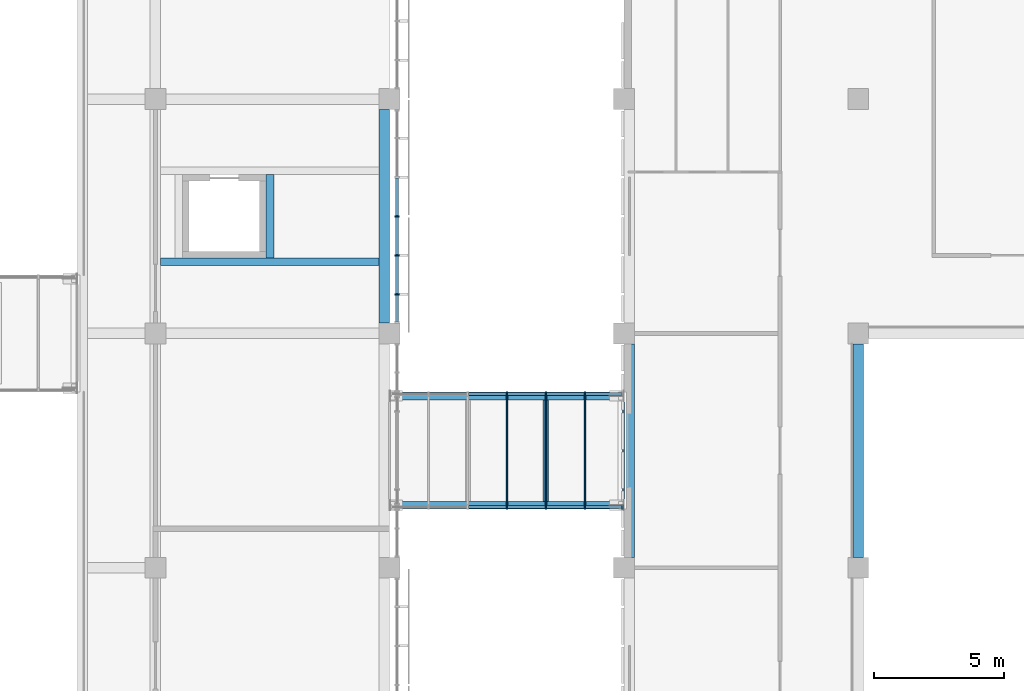
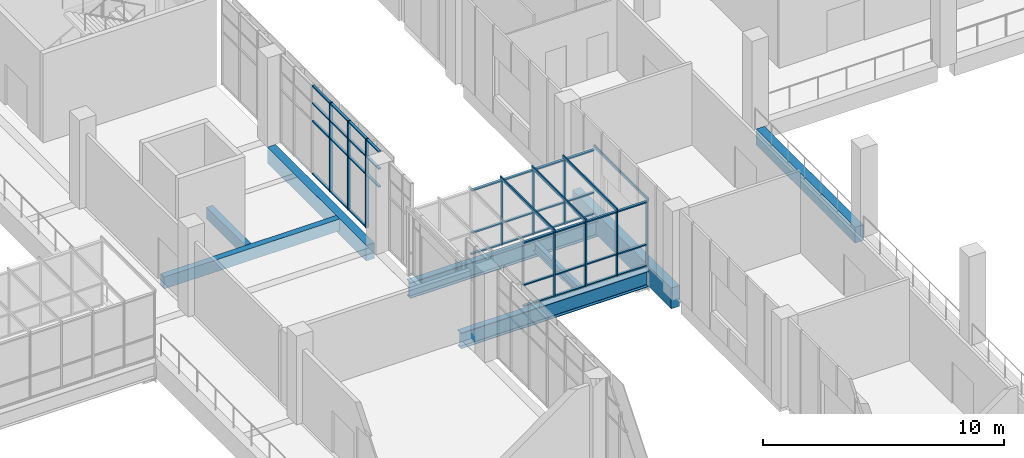
# One storey, part 25 of 88: 53 members, 8 beams, 4 elements without a shape of their own.
"""IFC4 building model written with IfcOpenShell, lengths in metres."""

import ifcopenshell
import ifcopenshell.guid

model = None  # the IFC model being written
_history = None  # IfcOwnerHistory: only IFC2X3 demands one
_inside = {}  # id of a spatial element -> (the spatial element, [elements in it])
_under = {}  # id of a project, library or spatial element -> (it, [spatial elements below it])
_declared = {}  # id of a project -> (the project, [libraries it declares])
_typed = {}  # id of a type object -> (the type object, [elements of that type])
_made_of = {}  # id of a material, layer set ... -> (it, [elements and type objects made of it])


def new_model(schema):
    """Start an empty IFC model of exactly this schema.

    Asked for "IFC4X3", IfcOpenShell would pick the latest addendum, in which some entities
    have other attributes; the version numbers below select the first issue.
    IFC2X3 requires an IfcOwnerHistory on every rooted entity: one is made here for all.
    """
    global model, _history
    if schema == "IFC4X3":
        model = ifcopenshell.file(schema_version=(4, 3, 0, 0))
    else:
        model = ifcopenshell.file(schema=schema)
    _inside.clear()
    _under.clear()
    _declared.clear()
    _typed.clear()
    _made_of.clear()
    _history = None
    if model.schema == "IFC2X3":
        org = make("IfcOrganization", Name="unknown")
        user = make(
            "IfcPersonAndOrganization",
            ThePerson=make("IfcPerson", FamilyName="unknown"),
            TheOrganization=org,
        )
        app = make(
            "IfcApplication",
            ApplicationDeveloper=org,
            Version="unknown",
            ApplicationFullName="unknown",
            ApplicationIdentifier="unknown",
        )
        _history = make(
            "IfcOwnerHistory",
            OwningUser=user,
            OwningApplication=app,
            ChangeAction="ADDED",
            CreationDate=0,
        )
    return model


def make(cls, **values):
    """One entity of the class cls with the attributes given. An attribute that is None is left unset."""
    return model.create_entity(
        cls, **{name: value for name, value in values.items() if value is not None}
    )


def rooted(cls, **values):
    """An entity with a GlobalId (a new one), such as an element, a storey or a relation."""
    return make(cls, GlobalId=ifcopenshell.guid.new(), OwnerHistory=_history, **values)


def si_unit(unit_type, name, prefix=None):
    """IfcSIUnit, for example si_unit("LENGTHUNIT", "METRE", prefix="MILLI")."""
    return make("IfcSIUnit", UnitType=unit_type, Prefix=prefix, Name=name)


def assignment(units):
    """IfcUnitAssignment: the units of a project."""
    return None if units is None else make("IfcUnitAssignment", Units=units)


def point(xyz):
    """IfcCartesianPoint."""
    return None if xyz is None else make("IfcCartesianPoint", Coordinates=xyz)


def direction(xyz):
    """IfcDirection."""
    return None if xyz is None else make("IfcDirection", DirectionRatios=xyz)


def frame(location, z_axis=None, x_axis=None):
    """IfcAxis2Placement3D, a coordinate frame: its origin and axes. An axis left out is left unset."""
    return make(
        "IfcAxis2Placement3D",
        Location=point(location),
        Axis=direction(z_axis),
        RefDirection=direction(x_axis),
    )


def frame_2d(location, x_axis=None):
    """IfcAxis2Placement2D, a coordinate frame in the plane: its origin and x axis."""
    return make(
        "IfcAxis2Placement2D", Location=point(location), RefDirection=direction(x_axis)
    )


def origin():
    """The frame at (0, 0, 0) with its axes left unset."""
    return frame((0.0, 0.0, 0.0))


def origin_2d():
    """The frame at (0, 0) in the plane with its x axis left unset."""
    return frame_2d((0.0, 0.0))


def place(relative_to, where):
    """IfcLocalPlacement: puts the frame where relative to a parent placement (None: the world)."""
    return make(
        "IfcLocalPlacement", PlacementRelTo=relative_to, RelativePlacement=where
    )


def context(
    kind, dimensions, precision=None, world=None, true_north=None, identifier=None
):
    """IfcGeometricRepresentationContext, for example the 3D "Model" context."""
    return make(
        "IfcGeometricRepresentationContext",
        ContextIdentifier=identifier,
        ContextType=kind,
        CoordinateSpaceDimension=dimensions,
        Precision=precision,
        WorldCoordinateSystem=world,
        TrueNorth=true_north,
    )


def subcontext(parent, identifier, kind, view, scale=None):
    """IfcGeometricRepresentationSubContext, for example "Body" below "Model"."""
    return make(
        "IfcGeometricRepresentationSubContext",
        ContextIdentifier=identifier,
        ContextType=kind,
        ParentContext=parent,
        TargetScale=scale,
        TargetView=view,
    )


def project(units=None, contexts=None):
    """IfcProject with its units and contexts."""
    return rooted(
        "IfcProject",
        Name="project",
        RepresentationContexts=contexts,
        UnitsInContext=assignment(units),
    )


def spatial(cls, under=None, at=None, **own):
    """A site, building, storey or space (cls), placed at a placement, below another one or the project."""
    s = rooted(cls, ObjectPlacement=at, **own)
    if under is not None:
        _under.setdefault(under.id(), (under, []))[1].append(s)
    return s


def profile(cls, at=None, kind="AREA", **sizes):
    """A parametric profile (cls). Its sizes go by their IFC names, for example OverallWidth=200.0."""
    return make(cls, ProfileType=kind, Position=at, **sizes)


def rectangle(**sizes):
    """IfcRectangleProfileDef."""
    return profile("IfcRectangleProfileDef", **sizes)


def i_section(**sizes):
    """IfcIShapeProfileDef."""
    return profile("IfcIShapeProfileDef", **sizes)


def extrude(swept, where, along, depth):
    """IfcExtrudedAreaSolid: the profile swept, set in the frame where, extruded along a direction by depth."""
    return make(
        "IfcExtrudedAreaSolid",
        SweptArea=swept,
        Position=where,
        ExtrudedDirection=direction(along),
        Depth=depth,
    )


def shape(context_of_items, identifier, shape_type, items):
    """IfcShapeRepresentation: the items that make up one representation, for example the "Body"."""
    return make(
        "IfcShapeRepresentation",
        ContextOfItems=context_of_items,
        RepresentationIdentifier=identifier,
        RepresentationType=shape_type,
        Items=items,
    )


def material(Name=None, Category=None):
    """IfcMaterial."""
    return make("IfcMaterial", Name=Name, Category=Category)


def layer(
    of_material, thickness, ventilated=None, Name=None, Category=None, Priority=None
):
    """IfcMaterialLayer: one layer of a wall or slab, of a material (None: an air gap)."""
    return make(
        "IfcMaterialLayer",
        Material=of_material,
        LayerThickness=thickness,
        IsVentilated=ventilated,
        Name=Name,
        Category=Category,
        Priority=Priority,
    )


def layer_set(layers, Name=None):
    """IfcMaterialLayerSet."""
    return make("IfcMaterialLayerSet", MaterialLayers=layers, LayerSetName=Name)


def material_profile(
    of_material, cross_section, Name=None, Category=None, Priority=None
):
    """IfcMaterialProfile: a cross section and its material."""
    return make(
        "IfcMaterialProfile",
        Name=Name,
        Material=of_material,
        Profile=cross_section,
        Priority=Priority,
        Category=Category,
    )


def profile_set(profiles, Name=None, composite=None):
    """IfcMaterialProfileSet."""
    return make(
        "IfcMaterialProfileSet",
        Name=Name,
        MaterialProfiles=profiles,
        CompositeProfile=composite,
    )


def made_of(thing, what):
    """Note that an element or type object is made of a material, layer set ...; save() writes the relation."""
    if what is not None:
        _made_of.setdefault(what.id(), (what, []))[1].append(thing)
    return thing


def type_object(cls, material=None, **own):
    """A type object (cls), such as IfcWallType, which elements share."""
    return made_of(rooted(cls, **own), material)


def element(
    cls,
    number,
    at=None,
    inside=None,
    cuts=None,
    type_object=None,
    material=None,
    context=None,
    identifier="Body",
    shape_type=None,
    held_by="IfcProductDefinitionShape",
    body=None,
    shapes=None,
    **own,
):
    """One element of the class cls, such as IfcWall. Its Tag is "e" and its number.

    at: its placement. inside: the storey or other place that contains it. cuts: it is an
    opening in that element (IfcRelVoidsElement). A single representation is given by context,
    identifier, shape_type and body (its items); several are given by shapes. held_by: the class
    of the entity that holds the representations. save() writes the other relations.
    """
    e = rooted(cls, Tag="e%d" % number, ObjectPlacement=at, **own)
    if body is not None:
        shapes = [shape(context, identifier, shape_type, body)]
    if shapes is not None:
        e.Representation = make(held_by, Representations=shapes)
    if inside is not None:
        _inside.setdefault(inside.id(), (inside, []))[1].append(e)
    if cuts is not None:
        rooted(
            "IfcRelVoidsElement", RelatingBuildingElement=cuts, RelatedOpeningElement=e
        )
    if type_object is not None:
        _typed.setdefault(type_object.id(), (type_object, []))[1].append(e)
    return made_of(e, material)


def aggregate(whole, parts):
    """IfcRelAggregates: a whole, such as a stair, and the parts it consists of."""
    return rooted("IfcRelAggregates", RelatingObject=whole, RelatedObjects=parts)


def save(model, path):
    """Write the relations noted so far, then the file.

    IfcRelAggregates (storeys below a building ...), IfcRelContainedInSpatialStructure (elements
    in a storey), IfcRelDefinesByType, IfcRelAssociatesMaterial and IfcRelDeclares: one each for
    every whole, place, type object, material and project.
    """
    for whole, parts in _under.values():
        aggregate(whole, parts)
    for where, things in _inside.values():
        rooted(
            "IfcRelContainedInSpatialStructure",
            RelatedElements=things,
            RelatingStructure=where,
        )
    for kind, things in _typed.values():
        rooted("IfcRelDefinesByType", RelatedObjects=things, RelatingType=kind)
    for what, things in _made_of.values():
        rooted("IfcRelAssociatesMaterial", RelatedObjects=things, RelatingMaterial=what)
    for by, libraries in _declared.values():
        rooted("IfcRelDeclares", RelatingContext=by, RelatedDefinitions=libraries)
    model.write(path)


model = new_model("IFC4")

# Units and contexts
model_context = context("Model", 3, precision=1e-05, world=origin(), true_north=direction((0.0, 1.0)))
body_context = subcontext(model_context, "Body", "Model", "MODEL_VIEW")
ifc_project = project(units=[si_unit("LENGTHUNIT", "METRE"), si_unit("AREAUNIT", "SQUARE_METRE"), si_unit("VOLUMEUNIT", "CUBIC_METRE"), si_unit("PLANEANGLEUNIT", "RADIAN"), si_unit("MASSUNIT", "GRAM", prefix="KILO")], contexts=[model_context])

# Site, building, storey
site_placement = place(None, origin())
site = spatial("IfcSite", under=ifc_project, at=site_placement, CompositionType="ELEMENT")
building_placement = place(site_placement, origin())
building = spatial("IfcBuilding", under=site, at=building_placement, Name="Guidao Yard Department Store", CompositionType="ELEMENT")
storey_placement = place(building_placement, frame((0.0, 0.0, 6.0)))
storey = spatial("IfcBuildingStorey", under=building, at=storey_placement, Name="L01", CompositionType="ELEMENT", Elevation=6.0)

# Beams
ifc_material_1 = material(Name="Concrete C40", Category="concrete")
ifc_material_profile_1 = material_profile(ifc_material_1, rectangle(XDim=0.39990234375, YDim=1.050048828125, at=origin_2d()), Name="Bridge landing beam 400 x 1050 C40")
ifc_profile_set_1 = profile_set([ifc_material_profile_1], Name="Concrete C40")
beam_type_1 = type_object("IfcBeamType", Name="Bridge landing beam 400 x 1050 C40", PredefinedType="BEAM", material=ifc_profile_set_1)
beam_1_placement = place(storey_placement, frame((117.199951171875, 81.39990234375, -0.52490234375), z_axis=(0.0, 1.0, 0.0), x_axis=(-1.0, 0.0, 0.0)))
element("IfcBeam", 1, at=beam_1_placement, inside=storey, type_object=beam_type_1, Name="Beam LB14", PredefinedType="BEAM", context=body_context, shape_type="SweptSolid", body=[
    extrude(rectangle(XDim=0.39990234375, YDim=1.050048828125, at=origin_2d()), origin(), (0.0, 0.0, 1.0), 8.2001953125),
])
ifc_material_2 = material(Name="Steel Q355B", Category="steel")
ifc_material_profile_2 = material_profile(ifc_material_2, i_section(OverallWidth=0.199951171875, OverallDepth=0.449951171875, WebThickness=0.009033203125, FlangeThickness=0.013916015625, FilletRadius=0.012939453125, at=origin_2d()), Name="HN 450x200x9x14")
ifc_profile_set_2 = profile_set([ifc_material_profile_2], Name="Steel Q355B")
beam_type_2 = type_object("IfcBeamType", Name="HN 450x200x9x14", PredefinedType="BEAM", material=ifc_profile_set_2)
beam_2_placement = place(storey_placement, frame((113.9951171875, 83.550048828125, -0.47509765625), z_axis=(0.0, 1.0, 0.0), x_axis=(-1.0, 0.0, 0.0)))
element("IfcBeam", 2, at=beam_2_placement, inside=storey, type_object=beam_type_2, Name="Bridge cross beam BR07-2", PredefinedType="BEAM", context=body_context, shape_type="SweptSolid", body=[
    extrude(i_section(OverallWidth=0.199951171875, OverallDepth=0.449951171875, WebThickness=0.009033203125, FlangeThickness=0.013916015625, FilletRadius=0.012939453125, at=origin_2d()), origin(), (0.0, 0.0, 1.0), 3.89990234375),
])
ifc_material_3 = material(Name="Steel Q355B", Category="steel")
ifc_material_profile_3 = material_profile(ifc_material_3, i_section(OverallWidth=0.300048828125, OverallDepth=0.800048828125, WebThickness=0.013916015625, FlangeThickness=0.02587890625, FilletRadius=0.01806640625, at=origin_2d()), Name="HN 800x300x14x26")
ifc_profile_set_3 = profile_set([ifc_material_profile_3], Name="Steel Q355B")
beam_type_3 = type_object("IfcBeamType", Name="HN 800x300x14x26", PredefinedType="BEAM", material=ifc_profile_set_3)
for number, where, z_axis, x_axis, name in (
    (3, (108.014892578125, 83.39990234375, -0.64990234375), (1.0, 0.0, 0.0), (0.0, 1.0, 0.0), "Bridge girder BR07S"),
    (4, (108.014892578125, 87.60009765625, -0.64990234375), (1.0, 0.0, 0.0), (0.0, 1.0, 0.0), "Bridge girder BR07N"),
):
    element("IfcBeam", number, at=place(storey_placement, frame(where, z_axis=z_axis, x_axis=x_axis)), inside=storey, type_object=beam_type_3, Name=name, PredefinedType="BEAM", context=body_context, shape_type="SweptSolid", body=[
        extrude(i_section(OverallWidth=0.300048828125, OverallDepth=0.800048828125, WebThickness=0.013916015625, FlangeThickness=0.02587890625, FilletRadius=0.01806640625, at=origin_2d()), origin(), (0.0, 0.0, 1.0), 8.97021484375),
    ])

# Curtain wall, members
ifc_material_4 = material(Name="Aluminium and glass", Category="aluminium")
ifc_layer_1 = layer(ifc_material_4, 0.159912109375)
ifc_layer_set_1 = layer_set([ifc_layer_1], Name="Shopfront curtain wall CW1 1500 module")
curtain_wall_type_1 = type_object("IfcCurtainWallType", Name="Shopfront curtain wall CW1 1500 module", PredefinedType="NOTDEFINED", material=ifc_layer_set_1)
curtain_wall_1_placement = place(storey_placement, origin())
curtain_wall_1 = element("IfcCurtainWall", 5, at=curtain_wall_1_placement, inside=storey, type_object=curtain_wall_type_1, Name="Arcade shop front", PredefinedType="NOTDEFINED")
ifc_material_5 = material(Name="Aluminium 6063-T5", Category="aluminium")
ifc_material_profile_4 = material_profile(ifc_material_5, rectangle(XDim=0.06005859375, YDim=0.159912109375, at=origin_2d()), Name="Mullion M1 60 x 160 aluminium pressure plate")
ifc_profile_set_4 = profile_set([ifc_material_profile_4], Name="Aluminium 6063-T5")
member_type_1 = type_object("IfcMemberType", Name="Mullion M1 60 x 160 aluminium pressure plate", PredefinedType="MULLION", material=ifc_profile_set_4)
member_1_placement = place(storey_placement, frame((108.280029296875, 91.5, 0.0), z_axis=(0.0, 0.0, 1.0), x_axis=(0.0, -1.0, 0.0)))
member_1 = element("IfcMember", 6, at=member_1_placement, type_object=member_type_1, Name="CW-AS-L01-21 mullion 2", PredefinedType="MULLION", context=body_context, shape_type="SweptSolid", body=[
    extrude(rectangle(XDim=0.06005859375, YDim=0.159912109375, at=origin_2d()), origin(), (0.0, 0.0, 1.0), 4.5),
])
member_2_placement = place(storey_placement, frame((108.280029296875, 93.0, 0.0), z_axis=(0.0, 0.0, 1.0), x_axis=(0.0, -1.0, 0.0)))
member_2 = element("IfcMember", 7, at=member_2_placement, type_object=member_type_1, Name="CW-AS-L01-21 mullion 3", PredefinedType="MULLION", context=body_context, shape_type="SweptSolid", body=[
    extrude(rectangle(XDim=0.06005859375, YDim=0.159912109375, at=origin_2d()), origin(), (0.0, 0.0, 1.0), 4.5),
])
member_3_placement = place(storey_placement, frame((108.280029296875, 94.5, 0.0), z_axis=(0.0, 0.0, 1.0), x_axis=(0.0, -1.0, 0.0)))
member_3 = element("IfcMember", 8, at=member_3_placement, type_object=member_type_1, Name="CW-AS-L01-21 mullion 4", PredefinedType="MULLION", context=body_context, shape_type="SweptSolid", body=[
    extrude(rectangle(XDim=0.06005859375, YDim=0.159912109375, at=origin_2d()), origin(), (0.0, 0.0, 1.0), 4.5),
])

ifc_material_6 = material(Name="Aluminium and glass", Category="aluminium")
ifc_layer_2 = layer(ifc_material_6, 0.159912109375)
ifc_layer_set_2 = layer_set([ifc_layer_2], Name="Bridge glazing CW5 1500 module")
curtain_wall_type_2 = type_object("IfcCurtainWallType", Name="Bridge glazing CW5 1500 module", PredefinedType="NOTDEFINED", material=ifc_layer_set_2)
curtain_wall_2_placement = place(storey_placement, origin())
curtain_wall_2 = element("IfcCurtainWall", 9, at=curtain_wall_2_placement, inside=storey, type_object=curtain_wall_type_2, Name="Bridge glazing BR07 S", PredefinedType="NOTDEFINED")
member_4_placement = place(storey_placement, frame((112.5, 83.330078125, 0.0), z_axis=(0.0, 0.0, 1.0), x_axis=(-1.0, 0.0, 0.0)))
member_4 = element("IfcMember", 10, at=member_4_placement, type_object=member_type_1, Name="CW-S-L01-07 mullion 4", PredefinedType="MULLION", context=body_context, shape_type="SweptSolid", body=[
    extrude(rectangle(XDim=0.06005859375, YDim=0.159912109375, at=origin_2d()), origin(), (0.0, 0.0, 1.0), 3.27001953125),
])
member_5_placement = place(storey_placement, frame((114.0, 83.330078125, 0.0), z_axis=(0.0, 0.0, 1.0), x_axis=(-1.0, 0.0, 0.0)))
member_5 = element("IfcMember", 11, at=member_5_placement, type_object=member_type_1, Name="CW-S-L01-07 mullion 5", PredefinedType="MULLION", context=body_context, shape_type="SweptSolid", body=[
    extrude(rectangle(XDim=0.06005859375, YDim=0.159912109375, at=origin_2d()), origin(), (0.0, 0.0, 1.0), 3.27001953125),
])
member_6_placement = place(storey_placement, frame((115.5, 83.330078125, 0.0), z_axis=(0.0, 0.0, 1.0), x_axis=(-1.0, 0.0, 0.0)))
member_6 = element("IfcMember", 12, at=member_6_placement, type_object=member_type_1, Name="CW-S-L01-07 mullion 6", PredefinedType="MULLION", context=body_context, shape_type="SweptSolid", body=[
    extrude(rectangle(XDim=0.06005859375, YDim=0.159912109375, at=origin_2d()), origin(), (0.0, 0.0, 1.0), 3.27001953125),
])
member_7_placement = place(storey_placement, frame((116.955078125, 83.330078125, 0.0), z_axis=(0.0, 0.0, 1.0), x_axis=(-1.0, 0.0, 0.0)))
member_7 = element("IfcMember", 13, at=member_7_placement, type_object=member_type_1, Name="CW-S-L01-07 mullion 7", PredefinedType="MULLION", context=body_context, shape_type="SweptSolid", body=[
    extrude(rectangle(XDim=0.06005859375, YDim=0.159912109375, at=origin_2d()), origin(), (0.0, 0.0, 1.0), 3.27001953125),
])

curtain_wall_3_placement = place(storey_placement, origin())
curtain_wall_3 = element("IfcCurtainWall", 14, at=curtain_wall_3_placement, inside=storey, type_object=curtain_wall_type_2, Name="Bridge glazing BR07 N", PredefinedType="NOTDEFINED")
member_8_placement = place(storey_placement, frame((112.5, 87.669921875, 0.0), z_axis=(0.0, 0.0, 1.0), x_axis=(1.0, 0.0, 0.0)))
member_8 = element("IfcMember", 15, at=member_8_placement, type_object=member_type_1, Name="CW-N-L01-08 mullion 4", PredefinedType="MULLION", context=body_context, shape_type="SweptSolid", body=[
    extrude(rectangle(XDim=0.06005859375, YDim=0.159912109375, at=origin_2d()), origin(), (0.0, 0.0, 1.0), 3.27001953125),
])
member_9_placement = place(storey_placement, frame((114.0, 87.669921875, 0.0), z_axis=(0.0, 0.0, 1.0), x_axis=(1.0, 0.0, 0.0)))
member_9 = element("IfcMember", 16, at=member_9_placement, type_object=member_type_1, Name="CW-N-L01-08 mullion 5", PredefinedType="MULLION", context=body_context, shape_type="SweptSolid", body=[
    extrude(rectangle(XDim=0.06005859375, YDim=0.159912109375, at=origin_2d()), origin(), (0.0, 0.0, 1.0), 3.27001953125),
])
member_10_placement = place(storey_placement, frame((115.5, 87.669921875, 0.0), z_axis=(0.0, 0.0, 1.0), x_axis=(1.0, 0.0, 0.0)))
member_10 = element("IfcMember", 17, at=member_10_placement, type_object=member_type_1, Name="CW-N-L01-08 mullion 6", PredefinedType="MULLION", context=body_context, shape_type="SweptSolid", body=[
    extrude(rectangle(XDim=0.06005859375, YDim=0.159912109375, at=origin_2d()), origin(), (0.0, 0.0, 1.0), 3.27001953125),
])

# Beams
ifc_material_7 = material(Name="Concrete C40", Category="concrete")
ifc_material_profile_5 = material_profile(ifc_material_7, rectangle(XDim=0.300048828125, YDim=0.60009765625, at=origin_2d()), Name="Opening beam 300 x 600 C40")
ifc_profile_set_5 = profile_set([ifc_material_profile_5], Name="Concrete C40")
beam_type_4 = type_object("IfcBeamType", Name="Opening beam 300 x 600 C40", PredefinedType="BEAM", material=ifc_profile_set_5)
beam_3_placement = place(storey_placement, frame((99.199951171875, 92.75, -0.300048828125), z_axis=(1.0, 0.0, 0.0), x_axis=(0.0, 1.0, 0.0)))
element("IfcBeam", 18, at=beam_3_placement, inside=storey, type_object=beam_type_4, Name="Beam OB25", PredefinedType="BEAM", context=body_context, shape_type="SweptSolid", body=[
    extrude(rectangle(XDim=0.300048828125, YDim=0.60009765625, at=origin_2d()), origin(), (0.0, 0.0, 1.0), 8.400146484375),
])
beam_4_placement = place(storey_placement, frame((103.39990234375, 92.89990234375, -0.300048828125), z_axis=(0.0, 1.0, 0.0), x_axis=(-1.0, 0.0, 0.0)))
element("IfcBeam", 19, at=beam_4_placement, inside=storey, type_object=beam_type_4, Name="Beam OB28", PredefinedType="BEAM", context=body_context, shape_type="SweptSolid", body=[
    extrude(rectangle(XDim=0.300048828125, YDim=0.60009765625, at=origin_2d()), origin(), (0.0, 0.0, 1.0), 3.2001953125),
])

# Curtain wall, members
curtain_wall_4_placement = place(storey_placement, origin())
curtain_wall_4 = element("IfcCurtainWall", 20, at=curtain_wall_4_placement, inside=storey, type_object=curtain_wall_type_2, Name="Bridge roof glazing BR07", PredefinedType="NOTDEFINED")
ifc_material_8 = material(Name="Aluminium 6063-T5", Category="aluminium")
ifc_material_profile_6 = material_profile(ifc_material_8, rectangle(XDim=0.06005859375, YDim=0.159912109375, at=origin_2d()), Name="Roof bar RB1 60 x 160 aluminium")
ifc_profile_set_6 = profile_set([ifc_material_profile_6], Name="Aluminium 6063-T5")
member_type_2 = type_object("IfcMemberType", Name="Roof bar RB1 60 x 160 aluminium", PredefinedType="USERDEFINED", material=ifc_profile_set_6)
member_11_placement = place(storey_placement, frame((112.5, 83.25, 3.35009765625), z_axis=(0.0, 1.0, 0.0), x_axis=(-1.0, 0.0, 0.0)))
member_11 = element("IfcMember", 21, at=member_11_placement, type_object=member_type_2, Name="Bridge roof bar BR07", ObjectType="TRANSOM", PredefinedType="USERDEFINED", context=body_context, shape_type="SweptSolid", body=[
    extrude(rectangle(XDim=0.06005859375, YDim=0.159912109375, at=origin_2d()), origin(), (0.0, 0.0, 1.0), 4.5),
])
member_12_placement = place(storey_placement, frame((114.0, 83.25, 3.35009765625), z_axis=(0.0, 1.0, 0.0), x_axis=(-1.0, 0.0, 0.0)))
member_12 = element("IfcMember", 22, at=member_12_placement, type_object=member_type_2, Name="Bridge roof bar BR07", ObjectType="TRANSOM", PredefinedType="USERDEFINED", context=body_context, shape_type="SweptSolid", body=[
    extrude(rectangle(XDim=0.06005859375, YDim=0.159912109375, at=origin_2d()), origin(), (0.0, 0.0, 1.0), 4.5),
])
member_13_placement = place(storey_placement, frame((115.5, 83.25, 3.35009765625), z_axis=(0.0, 1.0, 0.0), x_axis=(-1.0, 0.0, 0.0)))
member_13 = element("IfcMember", 23, at=member_13_placement, type_object=member_type_2, Name="Bridge roof bar BR07", ObjectType="TRANSOM", PredefinedType="USERDEFINED", context=body_context, shape_type="SweptSolid", body=[
    extrude(rectangle(XDim=0.06005859375, YDim=0.159912109375, at=origin_2d()), origin(), (0.0, 0.0, 1.0), 4.5),
])
member_14_placement = place(storey_placement, frame((116.985107421875, 83.25, 3.35009765625), z_axis=(0.0, 1.0, 0.0), x_axis=(-1.0, 0.0, 0.0)))
member_14 = element("IfcMember", 24, at=member_14_placement, type_object=member_type_2, Name="Bridge roof bar BR07", ObjectType="TRANSOM", PredefinedType="USERDEFINED", context=body_context, shape_type="SweptSolid", body=[
    extrude(rectangle(XDim=0.06005859375, YDim=0.159912109375, at=origin_2d()), origin(), (0.0, 0.0, 1.0), 4.5),
])
aggregate(curtain_wall_4, [member_11, member_12, member_13, member_14])

# Beams
ifc_material_9 = material(Name="Concrete C40", Category="concrete")
ifc_material_profile_7 = material_profile(ifc_material_9, rectangle(XDim=0.39990234375, YDim=0.800048828125, at=origin_2d()), Name="Spandrel beam 400 x 800 C40")
ifc_profile_set_7 = profile_set([ifc_material_profile_7], Name="Concrete C40")
beam_type_5 = type_object("IfcBeamType", Name="Spandrel beam 400 x 800 C40", PredefinedType="SPANDREL", material=ifc_profile_set_7)
for number, where, z_axis, x_axis, name in (
    (25, (107.800048828125, 90.39990234375, -0.39990234375), (0.0, 1.0, 0.0), (-1.0, 0.0, 0.0), "Beam EB47"),
    (26, (126.0, 81.39990234375, -0.39990234375), (0.0, 1.0, 0.0), (-1.0, 0.0, 0.0), "Beam EB70"),
):
    element("IfcBeam", number, at=place(storey_placement, frame(where, z_axis=z_axis, x_axis=x_axis)), inside=storey, type_object=beam_type_5, Name=name, PredefinedType="SPANDREL", context=body_context, shape_type="SweptSolid", body=[
        extrude(rectangle(XDim=0.39990234375, YDim=0.800048828125, at=origin_2d()), origin(), (0.0, 0.0, 1.0), 8.2001953125),
    ])

# Member
ifc_material_10 = material(Name="Aluminium 6063-T5", Category="aluminium")
ifc_material_profile_8 = material_profile(ifc_material_10, rectangle(XDim=0.1201171875, YDim=0.06005859375, at=origin_2d()), Name="Transom T1 60 x 120 aluminium pressure plate")
ifc_profile_set_8 = profile_set([ifc_material_profile_8], Name="Aluminium 6063-T5")
member_type_3 = type_object("IfcMemberType", Name="Transom T1 60 x 120 aluminium pressure plate", PredefinedType="USERDEFINED", material=ifc_profile_set_8)
member_15_placement = place(storey_placement, frame((108.280029296875, 91.469970703125, 2.699951171875), z_axis=(0.0, -1.0, 0.0), x_axis=(1.0, 0.0, 0.0)))
member_15 = element("IfcMember", 27, at=member_15_placement, type_object=member_type_3, Name="CW-AS-L01-21 transom 1.2", ObjectType="TRANSOM", PredefinedType="USERDEFINED", context=body_context, shape_type="SweptSolid", body=[
    extrude(rectangle(XDim=0.1201171875, YDim=0.06005859375, at=origin_2d()), origin(), (0.0, 0.0, 1.0), 1.010009765625),
])

member_16_placement = place(storey_placement, frame((108.280029296875, 91.469970703125, 3.60009765625), z_axis=(0.0, -1.0, 0.0), x_axis=(1.0, 0.0, 0.0)))
member_16 = element("IfcMember", 28, at=member_16_placement, type_object=member_type_3, Name="CW-AS-L01-21 transom 1.3", ObjectType="TRANSOM", PredefinedType="USERDEFINED", context=body_context, shape_type="SweptSolid", body=[
    extrude(rectangle(XDim=0.1201171875, YDim=0.06005859375, at=origin_2d()), origin(), (0.0, 0.0, 1.0), 1.010009765625),
])

member_17_placement = place(storey_placement, frame((108.280029296875, 91.469970703125, 4.469970703125), z_axis=(0.0, -1.0, 0.0), x_axis=(1.0, 0.0, 0.0)))
member_17 = element("IfcMember", 29, at=member_17_placement, type_object=member_type_3, Name="CW-AS-L01-21 transom 1.4", ObjectType="TRANSOM", PredefinedType="USERDEFINED", context=body_context, shape_type="SweptSolid", body=[
    extrude(rectangle(XDim=0.1201171875, YDim=0.06005859375, at=origin_2d()), origin(), (0.0, 0.0, 1.0), 1.010009765625),
])

member_18_placement = place(storey_placement, frame((108.280029296875, 92.969970703125, 0.030029296875), z_axis=(0.0, -1.0, 0.0), x_axis=(1.0, 0.0, 0.0)))
member_18 = element("IfcMember", 30, at=member_18_placement, type_object=member_type_3, Name="CW-AS-L01-21 transom 2.1", ObjectType="TRANSOM", PredefinedType="USERDEFINED", context=body_context, shape_type="SweptSolid", body=[
    extrude(rectangle(XDim=0.1201171875, YDim=0.06005859375, at=origin_2d()), origin(), (0.0, 0.0, 1.0), 1.43994140625),
])

member_19_placement = place(storey_placement, frame((108.280029296875, 92.969970703125, 2.699951171875), z_axis=(0.0, -1.0, 0.0), x_axis=(1.0, 0.0, 0.0)))
member_19 = element("IfcMember", 31, at=member_19_placement, type_object=member_type_3, Name="CW-AS-L01-21 transom 2.2", ObjectType="TRANSOM", PredefinedType="USERDEFINED", context=body_context, shape_type="SweptSolid", body=[
    extrude(rectangle(XDim=0.1201171875, YDim=0.06005859375, at=origin_2d()), origin(), (0.0, 0.0, 1.0), 1.43994140625),
])

member_20_placement = place(storey_placement, frame((108.280029296875, 92.969970703125, 3.60009765625), z_axis=(0.0, -1.0, 0.0), x_axis=(1.0, 0.0, 0.0)))
member_20 = element("IfcMember", 32, at=member_20_placement, type_object=member_type_3, Name="CW-AS-L01-21 transom 2.3", ObjectType="TRANSOM", PredefinedType="USERDEFINED", context=body_context, shape_type="SweptSolid", body=[
    extrude(rectangle(XDim=0.1201171875, YDim=0.06005859375, at=origin_2d()), origin(), (0.0, 0.0, 1.0), 1.43994140625),
])

member_21_placement = place(storey_placement, frame((108.280029296875, 92.969970703125, 4.469970703125), z_axis=(0.0, -1.0, 0.0), x_axis=(1.0, 0.0, 0.0)))
member_21 = element("IfcMember", 33, at=member_21_placement, type_object=member_type_3, Name="CW-AS-L01-21 transom 2.4", ObjectType="TRANSOM", PredefinedType="USERDEFINED", context=body_context, shape_type="SweptSolid", body=[
    extrude(rectangle(XDim=0.1201171875, YDim=0.06005859375, at=origin_2d()), origin(), (0.0, 0.0, 1.0), 1.43994140625),
])

member_22_placement = place(storey_placement, frame((108.280029296875, 94.469970703125, 0.030029296875), z_axis=(0.0, -1.0, 0.0), x_axis=(1.0, 0.0, 0.0)))
member_22 = element("IfcMember", 34, at=member_22_placement, type_object=member_type_3, Name="CW-AS-L01-21 transom 3.1", ObjectType="TRANSOM", PredefinedType="USERDEFINED", context=body_context, shape_type="SweptSolid", body=[
    extrude(rectangle(XDim=0.1201171875, YDim=0.06005859375, at=origin_2d()), origin(), (0.0, 0.0, 1.0), 1.43994140625),
])

member_23_placement = place(storey_placement, frame((108.280029296875, 94.469970703125, 2.699951171875), z_axis=(0.0, -1.0, 0.0), x_axis=(1.0, 0.0, 0.0)))
member_23 = element("IfcMember", 35, at=member_23_placement, type_object=member_type_3, Name="CW-AS-L01-21 transom 3.2", ObjectType="TRANSOM", PredefinedType="USERDEFINED", context=body_context, shape_type="SweptSolid", body=[
    extrude(rectangle(XDim=0.1201171875, YDim=0.06005859375, at=origin_2d()), origin(), (0.0, 0.0, 1.0), 1.43994140625),
])

member_24_placement = place(storey_placement, frame((108.280029296875, 94.469970703125, 3.60009765625), z_axis=(0.0, -1.0, 0.0), x_axis=(1.0, 0.0, 0.0)))
member_24 = element("IfcMember", 36, at=member_24_placement, type_object=member_type_3, Name="CW-AS-L01-21 transom 3.3", ObjectType="TRANSOM", PredefinedType="USERDEFINED", context=body_context, shape_type="SweptSolid", body=[
    extrude(rectangle(XDim=0.1201171875, YDim=0.06005859375, at=origin_2d()), origin(), (0.0, 0.0, 1.0), 1.43994140625),
])

member_25_placement = place(storey_placement, frame((108.280029296875, 94.469970703125, 4.469970703125), z_axis=(0.0, -1.0, 0.0), x_axis=(1.0, 0.0, 0.0)))
member_25 = element("IfcMember", 37, at=member_25_placement, type_object=member_type_3, Name="CW-AS-L01-21 transom 3.4", ObjectType="TRANSOM", PredefinedType="USERDEFINED", context=body_context, shape_type="SweptSolid", body=[
    extrude(rectangle(XDim=0.1201171875, YDim=0.06005859375, at=origin_2d()), origin(), (0.0, 0.0, 1.0), 1.43994140625),
])

member_26_placement = place(storey_placement, frame((108.280029296875, 95.969970703125, 0.030029296875), z_axis=(0.0, -1.0, 0.0), x_axis=(1.0, 0.0, 0.0)))
member_26 = element("IfcMember", 38, at=member_26_placement, type_object=member_type_3, Name="CW-AS-L01-21 transom 4.1", ObjectType="TRANSOM", PredefinedType="USERDEFINED", context=body_context, shape_type="SweptSolid", body=[
    extrude(rectangle(XDim=0.1201171875, YDim=0.06005859375, at=origin_2d()), origin(), (0.0, 0.0, 1.0), 1.43994140625),
])

member_27_placement = place(storey_placement, frame((108.280029296875, 95.969970703125, 2.699951171875), z_axis=(0.0, -1.0, 0.0), x_axis=(1.0, 0.0, 0.0)))
member_27 = element("IfcMember", 39, at=member_27_placement, type_object=member_type_3, Name="CW-AS-L01-21 transom 4.2", ObjectType="TRANSOM", PredefinedType="USERDEFINED", context=body_context, shape_type="SweptSolid", body=[
    extrude(rectangle(XDim=0.1201171875, YDim=0.06005859375, at=origin_2d()), origin(), (0.0, 0.0, 1.0), 1.43994140625),
])

member_28_placement = place(storey_placement, frame((108.280029296875, 95.969970703125, 3.60009765625), z_axis=(0.0, -1.0, 0.0), x_axis=(1.0, 0.0, 0.0)))
member_28 = element("IfcMember", 40, at=member_28_placement, type_object=member_type_3, Name="CW-AS-L01-21 transom 4.3", ObjectType="TRANSOM", PredefinedType="USERDEFINED", context=body_context, shape_type="SweptSolid", body=[
    extrude(rectangle(XDim=0.1201171875, YDim=0.06005859375, at=origin_2d()), origin(), (0.0, 0.0, 1.0), 1.43994140625),
])

member_29_placement = place(storey_placement, frame((108.280029296875, 95.969970703125, 4.469970703125), z_axis=(0.0, -1.0, 0.0), x_axis=(1.0, 0.0, 0.0)))
member_29 = element("IfcMember", 41, at=member_29_placement, type_object=member_type_3, Name="CW-AS-L01-21 transom 4.4", ObjectType="TRANSOM", PredefinedType="USERDEFINED", context=body_context, shape_type="SweptSolid", body=[
    extrude(rectangle(XDim=0.1201171875, YDim=0.06005859375, at=origin_2d()), origin(), (0.0, 0.0, 1.0), 1.43994140625),
])

aggregate(curtain_wall_1, [member_1, member_2, member_3, member_15, member_16, member_17, member_18, member_19, member_20, member_21, member_22, member_23, member_24, member_25, member_26, member_27, member_28, member_29])

member_30_placement = place(storey_placement, frame((112.469970703125, 83.330078125, 0.030029296875), z_axis=(-1.0, 0.0, 0.0), x_axis=(0.0, -1.0, 0.0)))
member_30 = element("IfcMember", 42, at=member_30_placement, type_object=member_type_3, Name="CW-S-L01-07 transom 3.1", ObjectType="TRANSOM", PredefinedType="USERDEFINED", context=body_context, shape_type="SweptSolid", body=[
    extrude(rectangle(XDim=0.1201171875, YDim=0.06005859375, at=origin_2d()), origin(), (0.0, 0.0, 1.0), 1.43994140625),
])

member_31_placement = place(storey_placement, frame((112.469970703125, 83.330078125, 1.10009765625), z_axis=(-1.0, 0.0, 0.0), x_axis=(0.0, -1.0, 0.0)))
member_31 = element("IfcMember", 43, at=member_31_placement, type_object=member_type_3, Name="CW-S-L01-07 transom 3.2", ObjectType="TRANSOM", PredefinedType="USERDEFINED", context=body_context, shape_type="SweptSolid", body=[
    extrude(rectangle(XDim=0.1201171875, YDim=0.06005859375, at=origin_2d()), origin(), (0.0, 0.0, 1.0), 1.43994140625),
])

member_32_placement = place(storey_placement, frame((112.469970703125, 83.330078125, 3.239990234375), z_axis=(-1.0, 0.0, 0.0), x_axis=(0.0, -1.0, 0.0)))
member_32 = element("IfcMember", 44, at=member_32_placement, type_object=member_type_3, Name="CW-S-L01-07 transom 3.3", ObjectType="TRANSOM", PredefinedType="USERDEFINED", context=body_context, shape_type="SweptSolid", body=[
    extrude(rectangle(XDim=0.1201171875, YDim=0.06005859375, at=origin_2d()), origin(), (0.0, 0.0, 1.0), 1.43994140625),
])

member_33_placement = place(storey_placement, frame((113.969970703125, 83.330078125, 0.030029296875), z_axis=(-1.0, 0.0, 0.0), x_axis=(0.0, -1.0, 0.0)))
member_33 = element("IfcMember", 45, at=member_33_placement, type_object=member_type_3, Name="CW-S-L01-07 transom 4.1", ObjectType="TRANSOM", PredefinedType="USERDEFINED", context=body_context, shape_type="SweptSolid", body=[
    extrude(rectangle(XDim=0.1201171875, YDim=0.06005859375, at=origin_2d()), origin(), (0.0, 0.0, 1.0), 1.43994140625),
])

member_34_placement = place(storey_placement, frame((113.969970703125, 83.330078125, 1.10009765625), z_axis=(-1.0, 0.0, 0.0), x_axis=(0.0, -1.0, 0.0)))
member_34 = element("IfcMember", 46, at=member_34_placement, type_object=member_type_3, Name="CW-S-L01-07 transom 4.2", ObjectType="TRANSOM", PredefinedType="USERDEFINED", context=body_context, shape_type="SweptSolid", body=[
    extrude(rectangle(XDim=0.1201171875, YDim=0.06005859375, at=origin_2d()), origin(), (0.0, 0.0, 1.0), 1.43994140625),
])

member_35_placement = place(storey_placement, frame((113.969970703125, 83.330078125, 3.239990234375), z_axis=(-1.0, 0.0, 0.0), x_axis=(0.0, -1.0, 0.0)))
member_35 = element("IfcMember", 47, at=member_35_placement, type_object=member_type_3, Name="CW-S-L01-07 transom 4.3", ObjectType="TRANSOM", PredefinedType="USERDEFINED", context=body_context, shape_type="SweptSolid", body=[
    extrude(rectangle(XDim=0.1201171875, YDim=0.06005859375, at=origin_2d()), origin(), (0.0, 0.0, 1.0), 1.43994140625),
])

member_36_placement = place(storey_placement, frame((115.469970703125, 83.330078125, 0.030029296875), z_axis=(-1.0, 0.0, 0.0), x_axis=(0.0, -1.0, 0.0)))
member_36 = element("IfcMember", 48, at=member_36_placement, type_object=member_type_3, Name="CW-S-L01-07 transom 5.1", ObjectType="TRANSOM", PredefinedType="USERDEFINED", context=body_context, shape_type="SweptSolid", body=[
    extrude(rectangle(XDim=0.1201171875, YDim=0.06005859375, at=origin_2d()), origin(), (0.0, 0.0, 1.0), 1.43994140625),
])

member_37_placement = place(storey_placement, frame((115.469970703125, 83.330078125, 1.10009765625), z_axis=(-1.0, 0.0, 0.0), x_axis=(0.0, -1.0, 0.0)))
member_37 = element("IfcMember", 49, at=member_37_placement, type_object=member_type_3, Name="CW-S-L01-07 transom 5.2", ObjectType="TRANSOM", PredefinedType="USERDEFINED", context=body_context, shape_type="SweptSolid", body=[
    extrude(rectangle(XDim=0.1201171875, YDim=0.06005859375, at=origin_2d()), origin(), (0.0, 0.0, 1.0), 1.43994140625),
])

member_38_placement = place(storey_placement, frame((115.469970703125, 83.330078125, 3.239990234375), z_axis=(-1.0, 0.0, 0.0), x_axis=(0.0, -1.0, 0.0)))
member_38 = element("IfcMember", 50, at=member_38_placement, type_object=member_type_3, Name="CW-S-L01-07 transom 5.3", ObjectType="TRANSOM", PredefinedType="USERDEFINED", context=body_context, shape_type="SweptSolid", body=[
    extrude(rectangle(XDim=0.1201171875, YDim=0.06005859375, at=origin_2d()), origin(), (0.0, 0.0, 1.0), 1.43994140625),
])

member_39_placement = place(storey_placement, frame((116.925048828125, 83.330078125, 0.030029296875), z_axis=(-1.0, 0.0, 0.0), x_axis=(0.0, -1.0, 0.0)))
member_39 = element("IfcMember", 51, at=member_39_placement, type_object=member_type_3, Name="CW-S-L01-07 transom 6.1", ObjectType="TRANSOM", PredefinedType="USERDEFINED", context=body_context, shape_type="SweptSolid", body=[
    extrude(rectangle(XDim=0.1201171875, YDim=0.06005859375, at=origin_2d()), origin(), (0.0, 0.0, 1.0), 1.39501953125),
])

member_40_placement = place(storey_placement, frame((116.925048828125, 83.330078125, 1.10009765625), z_axis=(-1.0, 0.0, 0.0), x_axis=(0.0, -1.0, 0.0)))
member_40 = element("IfcMember", 52, at=member_40_placement, type_object=member_type_3, Name="CW-S-L01-07 transom 6.2", ObjectType="TRANSOM", PredefinedType="USERDEFINED", context=body_context, shape_type="SweptSolid", body=[
    extrude(rectangle(XDim=0.1201171875, YDim=0.06005859375, at=origin_2d()), origin(), (0.0, 0.0, 1.0), 1.39501953125),
])

member_41_placement = place(storey_placement, frame((116.925048828125, 83.330078125, 3.239990234375), z_axis=(-1.0, 0.0, 0.0), x_axis=(0.0, -1.0, 0.0)))
member_41 = element("IfcMember", 53, at=member_41_placement, type_object=member_type_3, Name="CW-S-L01-07 transom 6.3", ObjectType="TRANSOM", PredefinedType="USERDEFINED", context=body_context, shape_type="SweptSolid", body=[
    extrude(rectangle(XDim=0.1201171875, YDim=0.06005859375, at=origin_2d()), origin(), (0.0, 0.0, 1.0), 1.39501953125),
])

aggregate(curtain_wall_2, [member_4, member_5, member_6, member_7, member_30, member_31, member_32, member_33, member_34, member_35, member_36, member_37, member_38, member_39, member_40, member_41])

member_42_placement = place(storey_placement, frame((111.030029296875, 87.669921875, 0.030029296875), z_axis=(1.0, 0.0, 0.0), x_axis=(0.0, 1.0, 0.0)))
member_42 = element("IfcMember", 54, at=member_42_placement, type_object=member_type_3, Name="CW-N-L01-08 transom 3.1", ObjectType="TRANSOM", PredefinedType="USERDEFINED", context=body_context, shape_type="SweptSolid", body=[
    extrude(rectangle(XDim=0.1201171875, YDim=0.06005859375, at=origin_2d()), origin(), (0.0, 0.0, 1.0), 1.43994140625),
])

member_43_placement = place(storey_placement, frame((111.030029296875, 87.669921875, 1.10009765625), z_axis=(1.0, 0.0, 0.0), x_axis=(0.0, 1.0, 0.0)))
member_43 = element("IfcMember", 55, at=member_43_placement, type_object=member_type_3, Name="CW-N-L01-08 transom 3.2", ObjectType="TRANSOM", PredefinedType="USERDEFINED", context=body_context, shape_type="SweptSolid", body=[
    extrude(rectangle(XDim=0.1201171875, YDim=0.06005859375, at=origin_2d()), origin(), (0.0, 0.0, 1.0), 1.43994140625),
])

member_44_placement = place(storey_placement, frame((111.030029296875, 87.669921875, 3.239990234375), z_axis=(1.0, 0.0, 0.0), x_axis=(0.0, 1.0, 0.0)))
member_44 = element("IfcMember", 56, at=member_44_placement, type_object=member_type_3, Name="CW-N-L01-08 transom 3.3", ObjectType="TRANSOM", PredefinedType="USERDEFINED", context=body_context, shape_type="SweptSolid", body=[
    extrude(rectangle(XDim=0.1201171875, YDim=0.06005859375, at=origin_2d()), origin(), (0.0, 0.0, 1.0), 1.43994140625),
])

member_45_placement = place(storey_placement, frame((112.530029296875, 87.669921875, 0.030029296875), z_axis=(1.0, 0.0, 0.0), x_axis=(0.0, 1.0, 0.0)))
member_45 = element("IfcMember", 57, at=member_45_placement, type_object=member_type_3, Name="CW-N-L01-08 transom 4.1", ObjectType="TRANSOM", PredefinedType="USERDEFINED", context=body_context, shape_type="SweptSolid", body=[
    extrude(rectangle(XDim=0.1201171875, YDim=0.06005859375, at=origin_2d()), origin(), (0.0, 0.0, 1.0), 1.43994140625),
])

member_46_placement = place(storey_placement, frame((112.530029296875, 87.669921875, 1.10009765625), z_axis=(1.0, 0.0, 0.0), x_axis=(0.0, 1.0, 0.0)))
member_46 = element("IfcMember", 58, at=member_46_placement, type_object=member_type_3, Name="CW-N-L01-08 transom 4.2", ObjectType="TRANSOM", PredefinedType="USERDEFINED", context=body_context, shape_type="SweptSolid", body=[
    extrude(rectangle(XDim=0.1201171875, YDim=0.06005859375, at=origin_2d()), origin(), (0.0, 0.0, 1.0), 1.43994140625),
])

member_47_placement = place(storey_placement, frame((112.530029296875, 87.669921875, 3.239990234375), z_axis=(1.0, 0.0, 0.0), x_axis=(0.0, 1.0, 0.0)))
member_47 = element("IfcMember", 59, at=member_47_placement, type_object=member_type_3, Name="CW-N-L01-08 transom 4.3", ObjectType="TRANSOM", PredefinedType="USERDEFINED", context=body_context, shape_type="SweptSolid", body=[
    extrude(rectangle(XDim=0.1201171875, YDim=0.06005859375, at=origin_2d()), origin(), (0.0, 0.0, 1.0), 1.43994140625),
])

member_48_placement = place(storey_placement, frame((114.030029296875, 87.669921875, 0.030029296875), z_axis=(1.0, 0.0, 0.0), x_axis=(0.0, 1.0, 0.0)))
member_48 = element("IfcMember", 60, at=member_48_placement, type_object=member_type_3, Name="CW-N-L01-08 transom 5.1", ObjectType="TRANSOM", PredefinedType="USERDEFINED", context=body_context, shape_type="SweptSolid", body=[
    extrude(rectangle(XDim=0.1201171875, YDim=0.06005859375, at=origin_2d()), origin(), (0.0, 0.0, 1.0), 1.43994140625),
])

member_49_placement = place(storey_placement, frame((114.030029296875, 87.669921875, 1.10009765625), z_axis=(1.0, 0.0, 0.0), x_axis=(0.0, 1.0, 0.0)))
member_49 = element("IfcMember", 61, at=member_49_placement, type_object=member_type_3, Name="CW-N-L01-08 transom 5.2", ObjectType="TRANSOM", PredefinedType="USERDEFINED", context=body_context, shape_type="SweptSolid", body=[
    extrude(rectangle(XDim=0.1201171875, YDim=0.06005859375, at=origin_2d()), origin(), (0.0, 0.0, 1.0), 1.43994140625),
])

member_50_placement = place(storey_placement, frame((114.030029296875, 87.669921875, 3.239990234375), z_axis=(1.0, 0.0, 0.0), x_axis=(0.0, 1.0, 0.0)))
member_50 = element("IfcMember", 62, at=member_50_placement, type_object=member_type_3, Name="CW-N-L01-08 transom 5.3", ObjectType="TRANSOM", PredefinedType="USERDEFINED", context=body_context, shape_type="SweptSolid", body=[
    extrude(rectangle(XDim=0.1201171875, YDim=0.06005859375, at=origin_2d()), origin(), (0.0, 0.0, 1.0), 1.43994140625),
])

member_51_placement = place(storey_placement, frame((115.530029296875, 87.669921875, 0.030029296875), z_axis=(1.0, 0.0, 0.0), x_axis=(0.0, 1.0, 0.0)))
member_51 = element("IfcMember", 63, at=member_51_placement, type_object=member_type_3, Name="CW-N-L01-08 transom 6.1", ObjectType="TRANSOM", PredefinedType="USERDEFINED", context=body_context, shape_type="SweptSolid", body=[
    extrude(rectangle(XDim=0.1201171875, YDim=0.06005859375, at=origin_2d()), origin(), (0.0, 0.0, 1.0), 1.39501953125),
])

member_52_placement = place(storey_placement, frame((115.530029296875, 87.669921875, 1.10009765625), z_axis=(1.0, 0.0, 0.0), x_axis=(0.0, 1.0, 0.0)))
member_52 = element("IfcMember", 64, at=member_52_placement, type_object=member_type_3, Name="CW-N-L01-08 transom 6.2", ObjectType="TRANSOM", PredefinedType="USERDEFINED", context=body_context, shape_type="SweptSolid", body=[
    extrude(rectangle(XDim=0.1201171875, YDim=0.06005859375, at=origin_2d()), origin(), (0.0, 0.0, 1.0), 1.39501953125),
])

member_53_placement = place(storey_placement, frame((115.530029296875, 87.669921875, 3.239990234375), z_axis=(1.0, 0.0, 0.0), x_axis=(0.0, 1.0, 0.0)))
member_53 = element("IfcMember", 65, at=member_53_placement, type_object=member_type_3, Name="CW-N-L01-08 transom 6.3", ObjectType="TRANSOM", PredefinedType="USERDEFINED", context=body_context, shape_type="SweptSolid", body=[
    extrude(rectangle(XDim=0.1201171875, YDim=0.06005859375, at=origin_2d()), origin(), (0.0, 0.0, 1.0), 1.39501953125),
])

aggregate(curtain_wall_3, [member_8, member_9, member_10, member_42, member_43, member_44, member_45, member_46, member_47, member_48, member_49, member_50, member_51, member_52, member_53])

save(model, "model.ifc")
